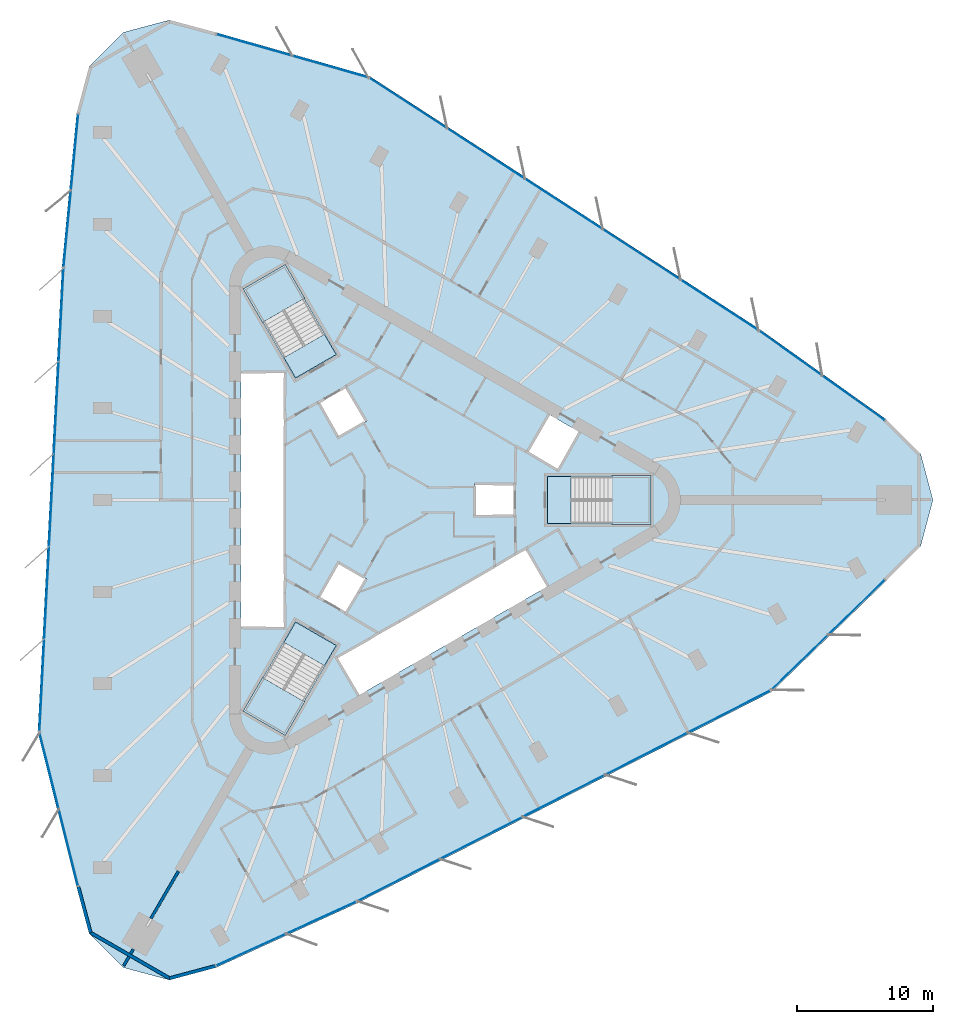
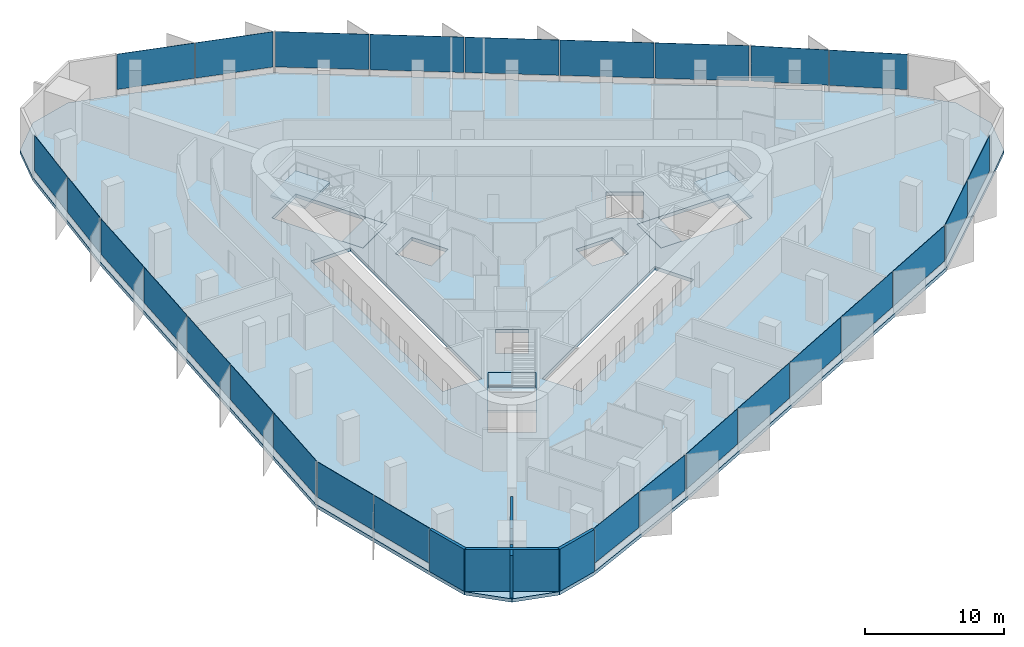
# One storey, part 7 of 14: 27 plates, 7 slabs, 6 walls, 12 elements without a shape of their own.
"""IFC4 building model written with IfcOpenShell, lengths in metres."""

from ifc_helpers import new_model, si_unit, direction, frame, frame_2d, origin, origin_2d, place, context, subcontext, project, spatial, polyline, rectangle, outline, extrude, material, layer, layer_set, type_object, element, aggregate, save


model = new_model("IFC4")

# Units and contexts
model_context = context("Model", 3, precision=1e-05, world=origin(), true_north=direction((0.0, 1.0)))
body_context = subcontext(model_context, "Body", "Model", "MODEL_VIEW")
ifc_project = project(units=[si_unit("LENGTHUNIT", "METRE"), si_unit("AREAUNIT", "SQUARE_METRE"), si_unit("VOLUMEUNIT", "CUBIC_METRE"), si_unit("PLANEANGLEUNIT", "RADIAN"), si_unit("MASSUNIT", "GRAM", prefix="KILO")], contexts=[model_context])

# Site, building, storey
site_placement = place(None, origin())
site = spatial("IfcSite", under=ifc_project, at=site_placement, CompositionType="ELEMENT")
building_placement = place(site_placement, origin())
building = spatial("IfcBuilding", under=site, at=building_placement, Name="Tanit Gate Tower", CompositionType="ELEMENT")
storey_placement = place(building_placement, frame((0.0, 0.0, 253.199951171875)))
storey = spatial("IfcBuildingStorey", under=building, at=storey_placement, Name="L57", CompositionType="ELEMENT", Elevation=253.199951171875)

# Slab
ifc_material_1 = material(Name="Concrete C35/45", Category="concrete")
ifc_layer_1 = layer(ifc_material_1, 0.300048828125)
ifc_layer_set_1 = layer_set([ifc_layer_1], Name="FLOOR SLAB 300 C35/45")
slab_type_1 = type_object("IfcSlabType", Name="FLOOR SLAB 300 C35/45", PredefinedType="FLOOR", material=ifc_layer_set_1)
slab_1_placement = place(storey_placement, frame((0.0, 0.0, -0.300048828125)))
element("IfcSlab", 1, at=slab_1_placement, inside=storey, type_object=slab_type_1, Name="FLOOR SLAB L57", PredefinedType="FLOOR", context=body_context, shape_type="SweptSolid", body=[
    extrude(outline(polyline([(36.34765625, 5.927734375), (38.85302734375, 3.42236328125), (39.77001953125, 0.0), (38.85302734375, -3.42236328125), (36.34765625, -5.927734375), (27.90380859375, -14.114013671875), (-2.617431640625, -29.68359375), (-13.040283203125, -34.44189453125), (-16.462646484375, -35.35888671875), (-19.885009765625, -34.44189453125), (-22.390380859375, -31.9365234375), (-23.307373046875, -28.51416015625), (-26.175048828125, -17.1083984375), (-24.39794921875, 17.1083984375), (-23.307373046875, 28.51416015625), (-22.390380859375, 31.9365234375), (-19.885009765625, 34.44189453125), (-16.462646484375, 35.35888671875), (-13.040283203125, 34.44189453125), (-1.72900390625, 31.222412109375), (27.015380859375, 12.574951171875), (36.34765625, 5.927734375)]), holes=[polyline([(11.3701171875, 1.72998046875), (18.929931640625, 1.72998046875), (18.929931640625, -1.72998046875), (11.3701171875, -1.72998046875), (11.3701171875, 1.72998046875)]), polyline([(9.82080078125, 3.510009765625), (11.44580078125, 6.324462890625), (13.783935546875, 4.974609375), (12.158935546875, 2.159912109375), (9.82080078125, 3.510009765625)]), polyline([(-4.208984375, -11.60986328125), (9.82080078125, -3.510009765625), (11.44580078125, -6.324462890625), (-2.583984375, -14.424560546875), (-4.208984375, -11.60986328125)]), polyline([(6.0, 1.199951171875), (9.0, 1.199951171875), (9.0, -1.199951171875), (6.0, -1.199951171875), (6.0, 1.199951171875)]), polyline([(-5.539306640625, 7.194091796875), (-3.460693359375, 8.394287109375), (-1.960693359375, 5.796142578125), (-4.039306640625, 4.59619140625), (-5.539306640625, 7.194091796875)]), polyline([(-1.960693359375, -5.796142578125), (-3.460693359375, -8.394287109375), (-5.539306640625, -7.194091796875), (-4.039306640625, -4.59619140625), (-1.960693359375, -5.796142578125)]), polyline([(-10.963134765625, 15.52880859375), (-7.966796875, 17.2587890625), (-4.186767578125, 10.711669921875), (-7.18310546875, 8.981689453125), (-10.963134765625, 15.52880859375)]), polyline([(-4.186767578125, -10.711669921875), (-7.966796875, -17.2587890625), (-10.963134765625, -15.52880859375), (-7.18310546875, -8.981689453125), (-4.186767578125, -10.711669921875)]), polyline([(-11.199951171875, -9.449951171875), (-11.199951171875, 9.449951171875), (-7.949951171875, 9.449951171875), (-7.949951171875, -9.449951171875), (-11.199951171875, -9.449951171875)])]), origin(), (0.0, 0.0, 1.0), 0.300048828125),
])

# Curtain wall, plates
ifc_material_2 = material(Name="Aluminium bronze anodised and glass", Category="aluminium")
curtain_wall_type = type_object("IfcCurtainWallType", Name="Curtain wall typical mid", PredefinedType="NOTDEFINED", material=ifc_material_2)
curtain_wall_1_placement = place(storey_placement, origin())
curtain_wall_1 = element("IfcCurtainWall", 2, at=curtain_wall_1_placement, inside=storey, type_object=curtain_wall_type, Name="Curtain wall L57 NE1", PredefinedType="NOTDEFINED")
ifc_material_3 = material(Name="Glass tinted", Category="glass")
ifc_layer_2 = layer(ifc_material_3, 0.030029296875)
ifc_layer_set_2 = layer_set([ifc_layer_2], Name="Glass panel 30 typical mid")
plate_type = type_object("IfcPlateType", Name="Glass panel 30 typical mid", PredefinedType="CURTAIN_PANEL", material=ifc_layer_set_2)
plate_1_placement = place(storey_placement, frame((33.923095703125, 7.50732421875, 0.60009765625), z_axis=(0.0, 0.0, 1.0), x_axis=(-0.814502523008, 0.580160012422, 0.0)))
plate_1 = element("IfcPlate", 3, at=plate_1_placement, type_object=plate_type, Name="Glass panel L57 NE1.1", PredefinedType="CURTAIN_PANEL", context=body_context, shape_type="SweptSolid", body=[
    extrude(rectangle(XDim=5.6025390625, YDim=0.030029296875, at=origin_2d()), origin(), (0.0, 0.0, 1.0), 3.10009765625),
])
plate_2_placement = place(storey_placement, frame((29.294677734375, 10.80419921875, 0.60009765625), z_axis=(0.0, 0.0, 1.0), x_axis=(-0.814502523008, 0.580160012422, 0.0)))
plate_2 = element("IfcPlate", 4, at=plate_2_placement, type_object=plate_type, Name="Glass panel L57 NE1.2", PredefinedType="CURTAIN_PANEL", context=body_context, shape_type="SweptSolid", body=[
    extrude(rectangle(XDim=5.6025390625, YDim=0.030029296875, at=origin_2d()), origin(), (0.0, 0.0, 1.0), 3.10009765625),
])
aggregate(curtain_wall_1, [plate_1, plate_2])

curtain_wall_2_placement = place(storey_placement, origin())
curtain_wall_2 = element("IfcCurtainWall", 5, at=curtain_wall_2_placement, inside=storey, type_object=curtain_wall_type, Name="Curtain wall L57 NE2", PredefinedType="NOTDEFINED")
plate_3_placement = place(storey_placement, frame((24.04833984375, 14.356689453125, 0.60009765625), z_axis=(0.0, 0.0, 1.0), x_axis=(-0.838927413588, 0.544243323092, 0.0)))
plate_3 = element("IfcPlate", 6, at=plate_3_placement, type_object=plate_type, Name="Glass panel L57 NE2.1", PredefinedType="CURTAIN_PANEL", context=body_context, shape_type="SweptSolid", body=[
    extrude(rectangle(XDim=6.75244140625, YDim=0.030029296875, at=origin_2d()), origin(), (0.0, 0.0, 1.0), 3.10009765625),
])
plate_4_placement = place(storey_placement, frame((18.31640625, 18.0751953125, 0.60009765625), z_axis=(0.0, 0.0, 1.0), x_axis=(-0.838927413588, 0.544243323092, 0.0)))
plate_4 = element("IfcPlate", 7, at=plate_4_placement, type_object=plate_type, Name="Glass panel L57 NE2.2", PredefinedType="CURTAIN_PANEL", context=body_context, shape_type="SweptSolid", body=[
    extrude(rectangle(XDim=6.75244140625, YDim=0.030029296875, at=origin_2d()), origin(), (0.0, 0.0, 1.0), 3.10009765625),
])
plate_5_placement = place(storey_placement, frame((12.58447265625, 21.7939453125, 0.60009765625), z_axis=(0.0, 0.0, 1.0), x_axis=(-0.838927413588, 0.544243323092, 0.0)))
plate_5 = element("IfcPlate", 8, at=plate_5_placement, type_object=plate_type, Name="Glass panel L57 NE2.3", PredefinedType="CURTAIN_PANEL", context=body_context, shape_type="SweptSolid", body=[
    extrude(rectangle(XDim=6.75244140625, YDim=0.030029296875, at=origin_2d()), origin(), (0.0, 0.0, 1.0), 3.10009765625),
])
plate_6_placement = place(storey_placement, frame((6.852294921875, 25.512451171875, 0.60009765625), z_axis=(0.0, 0.0, 1.0), x_axis=(-0.838927413588, 0.544243323092, 0.0)))
plate_6 = element("IfcPlate", 9, at=plate_6_placement, type_object=plate_type, Name="Glass panel L57 NE2.4", PredefinedType="CURTAIN_PANEL", context=body_context, shape_type="SweptSolid", body=[
    extrude(rectangle(XDim=6.75244140625, YDim=0.030029296875, at=origin_2d()), origin(), (0.0, 0.0, 1.0), 3.10009765625),
])
plate_7_placement = place(storey_placement, frame((1.120361328125, 29.23095703125, 0.60009765625), z_axis=(0.0, 0.0, 1.0), x_axis=(-0.838927413588, 0.544243323092, 0.0)))
plate_7 = element("IfcPlate", 10, at=plate_7_placement, type_object=plate_type, Name="Glass panel L57 NE2.5", PredefinedType="CURTAIN_PANEL", context=body_context, shape_type="SweptSolid", body=[
    extrude(rectangle(XDim=6.75244140625, YDim=0.030029296875, at=origin_2d()), origin(), (0.0, 0.0, 1.0), 3.10009765625),
])
aggregate(curtain_wall_2, [plate_3, plate_4, plate_5, plate_6, plate_7])

curtain_wall_3_placement = place(storey_placement, origin())
curtain_wall_3 = element("IfcCurtainWall", 11, at=curtain_wall_3_placement, inside=storey, type_object=curtain_wall_type, Name="Curtain wall L57 NE3", PredefinedType="NOTDEFINED")
plate_8_placement = place(storey_placement, frame((-4.62158203125, 31.9208984375, 0.60009765625), z_axis=(0.0, 0.0, 1.0), x_axis=(-0.961802543312, 0.273744164647, 0.0)))
plate_8 = element("IfcPlate", 12, at=plate_8_placement, type_object=plate_type, Name="Glass panel L57 NE3.1", PredefinedType="CURTAIN_PANEL", context=body_context, shape_type="SweptSolid", body=[
    extrude(rectangle(XDim=5.750732421875, YDim=0.030029296875, at=origin_2d()), origin(), (0.0, 0.0, 1.0), 3.10009765625),
])
plate_9_placement = place(storey_placement, frame((-10.229736328125, 33.51708984375, 0.60009765625), z_axis=(0.0, 0.0, 1.0), x_axis=(-0.961802543312, 0.273744164647, 0.0)))
plate_9 = element("IfcPlate", 13, at=plate_9_placement, type_object=plate_type, Name="Glass panel L57 NE3.2", PredefinedType="CURTAIN_PANEL", context=body_context, shape_type="SweptSolid", body=[
    extrude(rectangle(XDim=5.7509765625, YDim=0.030029296875, at=origin_2d()), origin(), (0.0, 0.0, 1.0), 3.10009765625),
])
aggregate(curtain_wall_3, [plate_8, plate_9])

curtain_wall_4_placement = place(storey_placement, origin())
curtain_wall_4 = element("IfcCurtainWall", 14, at=curtain_wall_4_placement, inside=storey, type_object=curtain_wall_type, Name="Curtain wall L57 W1", PredefinedType="NOTDEFINED")
plate_10_placement = place(storey_placement, frame((-23.463134765625, 25.62451171875, 0.60009765625), z_axis=(0.0, 0.0, 1.0), x_axis=(-0.095182047514, -0.995459882582, 0.0)))
plate_10 = element("IfcPlate", 15, at=plate_10_placement, type_object=plate_type, Name="Glass panel L57 W1.1", PredefinedType="CURTAIN_PANEL", context=body_context, shape_type="SweptSolid", body=[
    extrude(rectangle(XDim=5.6025390625, YDim=0.030029296875, at=origin_2d()), origin(), (0.0, 0.0, 1.0), 3.10009765625),
])
plate_11_placement = place(storey_placement, frame((-24.00390625, 19.9677734375, 0.60009765625), z_axis=(0.0, 0.0, 1.0), x_axis=(-0.095182047514, -0.995459882582, 0.0)))
plate_11 = element("IfcPlate", 16, at=plate_11_placement, type_object=plate_type, Name="Glass panel L57 W1.2", PredefinedType="CURTAIN_PANEL", context=body_context, shape_type="SweptSolid", body=[
    extrude(rectangle(XDim=5.6025390625, YDim=0.030029296875, at=origin_2d()), origin(), (0.0, 0.0, 1.0), 3.10009765625),
])
aggregate(curtain_wall_4, [plate_10, plate_11])

curtain_wall_5_placement = place(storey_placement, origin())
curtain_wall_5 = element("IfcCurtainWall", 17, at=curtain_wall_5_placement, inside=storey, type_object=curtain_wall_type, Name="Curtain wall L57 W2", PredefinedType="NOTDEFINED")
plate_12_placement = place(storey_placement, frame((-24.45751953125, 13.648193359375, 0.60009765625), z_axis=(0.0, 0.0, 1.0), x_axis=(-0.051864836844, -0.998654113645, 0.0)))
plate_12 = element("IfcPlate", 18, at=plate_12_placement, type_object=plate_type, Name="Glass panel L57 W2.1", PredefinedType="CURTAIN_PANEL", context=body_context, shape_type="SweptSolid", body=[
    extrude(rectangle(XDim=6.75244140625, YDim=0.030029296875, at=origin_2d()), origin(), (0.0, 0.0, 1.0), 3.10009765625),
])
plate_13_placement = place(storey_placement, frame((-24.811767578125, 6.82470703125, 0.60009765625), z_axis=(0.0, 0.0, 1.0), x_axis=(-0.051864836844, -0.998654113645, 0.0)))
plate_13 = element("IfcPlate", 19, at=plate_13_placement, type_object=plate_type, Name="Glass panel L57 W2.2", PredefinedType="CURTAIN_PANEL", context=body_context, shape_type="SweptSolid", body=[
    extrude(rectangle(XDim=6.75244140625, YDim=0.030029296875, at=origin_2d()), origin(), (0.0, 0.0, 1.0), 3.10009765625),
])
plate_14_placement = place(storey_placement, frame((-25.166259765625, 0.00146484375, 0.60009765625), z_axis=(0.0, 0.0, 1.0), x_axis=(-0.051864836844, -0.998654113645, 0.0)))
plate_14 = element("IfcPlate", 20, at=plate_14_placement, type_object=plate_type, Name="Glass panel L57 W2.3", PredefinedType="CURTAIN_PANEL", context=body_context, shape_type="SweptSolid", body=[
    extrude(rectangle(XDim=6.75244140625, YDim=0.030029296875, at=origin_2d()), origin(), (0.0, 0.0, 1.0), 3.10009765625),
])
plate_15_placement = place(storey_placement, frame((-25.5205078125, -6.82177734375, 0.60009765625), z_axis=(0.0, 0.0, 1.0), x_axis=(-0.051864836844, -0.998654113645, 0.0)))
plate_15 = element("IfcPlate", 21, at=plate_15_placement, type_object=plate_type, Name="Glass panel L57 W2.4", PredefinedType="CURTAIN_PANEL", context=body_context, shape_type="SweptSolid", body=[
    extrude(rectangle(XDim=6.75244140625, YDim=0.030029296875, at=origin_2d()), origin(), (0.0, 0.0, 1.0), 3.10009765625),
])
plate_16_placement = place(storey_placement, frame((-25.875, -13.64501953125, 0.60009765625), z_axis=(0.0, 0.0, 1.0), x_axis=(-0.051864836844, -0.998654113645, 0.0)))
plate_16 = element("IfcPlate", 22, at=plate_16_placement, type_object=plate_type, Name="Glass panel L57 W2.5", PredefinedType="CURTAIN_PANEL", context=body_context, shape_type="SweptSolid", body=[
    extrude(rectangle(XDim=6.75244140625, YDim=0.030029296875, at=origin_2d()), origin(), (0.0, 0.0, 1.0), 3.10009765625),
])
aggregate(curtain_wall_5, [plate_12, plate_13, plate_14, plate_15, plate_16])

curtain_wall_6_placement = place(storey_placement, origin())
curtain_wall_6 = element("IfcCurtainWall", 23, at=curtain_wall_6_placement, inside=storey, type_object=curtain_wall_type, Name="Curtain wall L57 W3", PredefinedType="NOTDEFINED")
plate_17_placement = place(storey_placement, frame((-25.33349609375, -19.962890625, 0.60009765625), z_axis=(0.0, 0.0, 1.0), x_axis=(0.243831870934, -0.969817518256, 0.0)))
plate_17 = element("IfcPlate", 24, at=plate_17_placement, type_object=plate_type, Name="Glass panel L57 W3.1", PredefinedType="CURTAIN_PANEL", context=body_context, shape_type="SweptSolid", body=[
    extrude(rectangle(XDim=5.750732421875, YDim=0.030029296875, at=origin_2d()), origin(), (0.0, 0.0, 1.0), 3.10009765625),
])
plate_18_placement = place(storey_placement, frame((-23.911865234375, -25.61767578125, 0.60009765625), z_axis=(0.0, 0.0, 1.0), x_axis=(0.243831870934, -0.969817518256, 0.0)))
plate_18 = element("IfcPlate", 25, at=plate_18_placement, type_object=plate_type, Name="Glass panel L57 W3.2", PredefinedType="CURTAIN_PANEL", context=body_context, shape_type="SweptSolid", body=[
    extrude(rectangle(XDim=5.7509765625, YDim=0.030029296875, at=origin_2d()), origin(), (0.0, 0.0, 1.0), 3.10009765625),
])
aggregate(curtain_wall_6, [plate_17, plate_18])

curtain_wall_7_placement = place(storey_placement, origin())
curtain_wall_7 = element("IfcCurtainWall", 26, at=curtain_wall_7_placement, inside=storey, type_object=curtain_wall_type, Name="Curtain wall L57 SE1", PredefinedType="NOTDEFINED")
plate_19_placement = place(storey_placement, frame((-10.4599609375, -33.1318359375, 0.60009765625), z_axis=(0.0, 0.0, 1.0), x_axis=(0.909684570522, 0.41529987016, 0.0)))
plate_19 = element("IfcPlate", 27, at=plate_19_placement, type_object=plate_type, Name="Glass panel L57 SE1.1", PredefinedType="CURTAIN_PANEL", context=body_context, shape_type="SweptSolid", body=[
    extrude(rectangle(XDim=5.6025390625, YDim=0.030029296875, at=origin_2d()), origin(), (0.0, 0.0, 1.0), 3.10009765625),
])
plate_20_placement = place(storey_placement, frame((-5.290771484375, -30.77197265625, 0.60009765625), z_axis=(0.0, 0.0, 1.0), x_axis=(0.909684570522, 0.41529987016, 0.0)))
plate_20 = element("IfcPlate", 28, at=plate_20_placement, type_object=plate_type, Name="Glass panel L57 SE1.2", PredefinedType="CURTAIN_PANEL", context=body_context, shape_type="SweptSolid", body=[
    extrude(rectangle(XDim=5.6025390625, YDim=0.030029296875, at=origin_2d()), origin(), (0.0, 0.0, 1.0), 3.10009765625),
])
aggregate(curtain_wall_7, [plate_19, plate_20])

curtain_wall_8_placement = place(storey_placement, origin())
curtain_wall_8 = element("IfcCurtainWall", 29, at=curtain_wall_8_placement, inside=storey, type_object=curtain_wall_type, Name="Curtain wall L57 SE2", PredefinedType="NOTDEFINED")
plate_21_placement = place(storey_placement, frame((0.4091796875, -28.0048828125, 0.60009765625), z_axis=(0.0, 0.0, 1.0), x_axis=(0.890792250432, 0.454410790552, 0.0)))
plate_21 = element("IfcPlate", 30, at=plate_21_placement, type_object=plate_type, Name="Glass panel L57 SE2.1", PredefinedType="CURTAIN_PANEL", context=body_context, shape_type="SweptSolid", body=[
    extrude(rectangle(XDim=6.75244140625, YDim=0.030029296875, at=origin_2d()), origin(), (0.0, 0.0, 1.0), 3.10009765625),
])
plate_22_placement = place(storey_placement, frame((6.49560546875, -24.900146484375, 0.60009765625), z_axis=(0.0, 0.0, 1.0), x_axis=(0.890792250432, 0.454410790552, 0.0)))
plate_22 = element("IfcPlate", 31, at=plate_22_placement, type_object=plate_type, Name="Glass panel L57 SE2.2", PredefinedType="CURTAIN_PANEL", context=body_context, shape_type="SweptSolid", body=[
    extrude(rectangle(XDim=6.75244140625, YDim=0.030029296875, at=origin_2d()), origin(), (0.0, 0.0, 1.0), 3.10009765625),
])
plate_23_placement = place(storey_placement, frame((12.581787109375, -21.79541015625, 0.60009765625), z_axis=(0.0, 0.0, 1.0), x_axis=(0.890792250432, 0.454410790552, 0.0)))
plate_23 = element("IfcPlate", 32, at=plate_23_placement, type_object=plate_type, Name="Glass panel L57 SE2.3", PredefinedType="CURTAIN_PANEL", context=body_context, shape_type="SweptSolid", body=[
    extrude(rectangle(XDim=6.75244140625, YDim=0.030029296875, at=origin_2d()), origin(), (0.0, 0.0, 1.0), 3.10009765625),
])
plate_24_placement = place(storey_placement, frame((18.668212890625, -18.6904296875, 0.60009765625), z_axis=(0.0, 0.0, 1.0), x_axis=(0.890792250432, 0.454410790552, 0.0)))
plate_24 = element("IfcPlate", 33, at=plate_24_placement, type_object=plate_type, Name="Glass panel L57 SE2.4", PredefinedType="CURTAIN_PANEL", context=body_context, shape_type="SweptSolid", body=[
    extrude(rectangle(XDim=6.75244140625, YDim=0.030029296875, at=origin_2d()), origin(), (0.0, 0.0, 1.0), 3.10009765625),
])
plate_25_placement = place(storey_placement, frame((24.75439453125, -15.585693359375, 0.60009765625), z_axis=(0.0, 0.0, 1.0), x_axis=(0.890792250432, 0.454410790552, 0.0)))
plate_25 = element("IfcPlate", 34, at=plate_25_placement, type_object=plate_type, Name="Glass panel L57 SE2.5", PredefinedType="CURTAIN_PANEL", context=body_context, shape_type="SweptSolid", body=[
    extrude(rectangle(XDim=6.75244140625, YDim=0.030029296875, at=origin_2d()), origin(), (0.0, 0.0, 1.0), 3.10009765625),
])
aggregate(curtain_wall_8, [plate_21, plate_22, plate_23, plate_24, plate_25])

curtain_wall_9_placement = place(storey_placement, origin())
curtain_wall_9 = element("IfcCurtainWall", 35, at=curtain_wall_9_placement, inside=storey, type_object=curtain_wall_type, Name="Curtain wall L57 SE3", PredefinedType="NOTDEFINED")
plate_26_placement = place(storey_placement, frame((29.955078125, -11.9580078125, 0.60009765625), z_axis=(0.0, 0.0, 1.0), x_axis=(0.717970672378, 0.696073353609, 0.0)))
plate_26 = element("IfcPlate", 36, at=plate_26_placement, type_object=plate_type, Name="Glass panel L57 SE3.1", PredefinedType="CURTAIN_PANEL", context=body_context, shape_type="SweptSolid", body=[
    extrude(rectangle(XDim=5.750732421875, YDim=0.030029296875, at=origin_2d()), origin(), (0.0, 0.0, 1.0), 3.10009765625),
])
plate_27_placement = place(storey_placement, frame((34.1416015625, -7.8994140625, 0.60009765625), z_axis=(0.0, 0.0, 1.0), x_axis=(0.717970672378, 0.696073353609, 0.0)))
plate_27 = element("IfcPlate", 37, at=plate_27_placement, type_object=plate_type, Name="Glass panel L57 SE3.2", PredefinedType="CURTAIN_PANEL", context=body_context, shape_type="SweptSolid", body=[
    extrude(rectangle(XDim=5.7509765625, YDim=0.030029296875, at=origin_2d()), origin(), (0.0, 0.0, 1.0), 3.10009765625),
])
aggregate(curtain_wall_9, [plate_26, plate_27])

# Stair, slab
ifc_material_4 = material(Name="Concrete C40/50", Category="concrete")
stair_type = type_object("IfcStairType", Name="INT-STAIR-EXIT", PredefinedType="HALF_TURN_STAIR", material=ifc_material_4)
stair_1_placement = place(storey_placement, origin())
stair_1 = element("IfcStair", 38, at=stair_1_placement, inside=storey, type_object=stair_type, Name="L57 STAIR S1", PredefinedType="HALF_TURN_STAIR")
ifc_material_5 = material(Name="Concrete C40/50", Category="concrete")
ifc_layer_3 = layer(ifc_material_5, 0.199951171875)
ifc_layer_set_3 = layer_set([ifc_layer_3], Name="INT-STAIR-LANDING")
slab_type_2 = type_object("IfcSlabType", Name="INT-STAIR-LANDING", PredefinedType="LANDING", material=ifc_layer_set_3)
slab_2_placement = place(storey_placement, frame((0.0, 0.0, 1.800048828125)))
slab_2 = element("IfcSlab", 39, at=slab_2_placement, type_object=slab_type_2, Name="S1 landing 1", PredefinedType="LANDING", context=body_context, shape_type="SweptSolid", body=[
    extrude(outline(polyline([(16.135986328125, -1.800048828125), (19.0, -1.800048828125), (19.0, 1.800048828125), (16.135986328125, 1.800048828125), (16.135986328125, -1.800048828125)])), origin(), (0.0, 0.0, 1.0), 0.199951171875),
])
aggregate(stair_1, [slab_2])

# Slab
slab_3_placement = place(storey_placement, frame((0.0, 0.0, -0.199951171875)))
element("IfcSlab", 40, at=slab_3_placement, inside=storey, type_object=slab_type_2, Name="S1 floor landing", PredefinedType="LANDING", context=body_context, shape_type="SweptSolid", body=[
    extrude(outline(polyline([(11.3798828125, -1.719970703125), (13.10498046875, -1.719970703125), (13.10498046875, 1.719970703125), (11.3798828125, 1.719970703125), (11.3798828125, -1.719970703125)])), origin(), (0.0, 0.0, 1.0), 0.199951171875),
])

# Stair, slab
stair_2_placement = place(storey_placement, origin())
stair_2 = element("IfcStair", 41, at=stair_2_placement, inside=storey, type_object=stair_type, Name="L57 STAIR S2", PredefinedType="HALF_TURN_STAIR")
slab_4_placement = place(storey_placement, frame((0.0, 0.0, 1.800048828125)))
slab_4 = element("IfcSlab", 42, at=slab_4_placement, type_object=slab_type_2, Name="S2 landing 1", PredefinedType="LANDING", context=body_context, shape_type="SweptSolid", body=[
    extrude(outline(polyline([(-6.5078125, 14.871826171875), (-7.941162109375, 17.3544921875), (-11.058837890625, 15.554443359375), (-9.62548828125, 13.07177734375), (-6.5078125, 14.871826171875)])), origin(), (0.0, 0.0, 1.0), 0.199951171875),
])
aggregate(stair_2, [slab_4])

# Slab
slab_5_placement = place(storey_placement, frame((0.0, 0.0, -0.199951171875)))
element("IfcSlab", 43, at=slab_5_placement, inside=storey, type_object=slab_type_2, Name="S2 floor landing", PredefinedType="LANDING", context=body_context, shape_type="SweptSolid", body=[
    extrude(outline(polyline([(-4.200439453125, 10.71533203125), (-5.0625, 12.20849609375), (-8.04150390625, 10.48828125), (-7.179443359375, 8.995361328125), (-4.200439453125, 10.71533203125)])), origin(), (0.0, 0.0, 1.0), 0.199951171875),
])

# Stair, slab
stair_3_placement = place(storey_placement, origin())
stair_3 = element("IfcStair", 44, at=stair_3_placement, inside=storey, type_object=stair_type, Name="L57 STAIR S3", PredefinedType="HALF_TURN_STAIR")
slab_6_placement = place(storey_placement, frame((0.0, 0.0, 1.800048828125)))
slab_6 = element("IfcSlab", 45, at=slab_6_placement, type_object=slab_type_2, Name="S3 landing 1", PredefinedType="LANDING", context=body_context, shape_type="SweptSolid", body=[
    extrude(outline(polyline([(-9.626953125, -13.07421875), (-11.058837890625, -15.554443359375), (-7.941162109375, -17.3544921875), (-6.509033203125, -14.874267578125), (-9.626953125, -13.07421875)])), origin(), (0.0, 0.0, 1.0), 0.199951171875),
])
aggregate(stair_3, [slab_6])

# Slab
slab_7_placement = place(storey_placement, frame((0.0, 0.0, -0.199951171875)))
element("IfcSlab", 46, at=slab_7_placement, inside=storey, type_object=slab_type_2, Name="S3 floor landing", PredefinedType="LANDING", context=body_context, shape_type="SweptSolid", body=[
    extrude(outline(polyline([(-7.179443359375, -8.995361328125), (-8.0419921875, -10.4892578125), (-5.06298828125, -12.209228515625), (-4.200439453125, -10.71533203125), (-7.179443359375, -8.995361328125)])), origin(), (0.0, 0.0, 1.0), 0.199951171875),
])

# Walls
ifc_material_6 = material(Name="Concrete C30/37 with bronze anodised aluminium cladding", Category="concrete")
ifc_layer_4 = layer(ifc_material_6, 0.239990234375)
ifc_layer_set_4 = layer_set([ifc_layer_4], Name="Facade wall bronze clad 240")
wall_type_1 = type_object("IfcWallType", Name="Facade wall bronze clad 240", PredefinedType="SOLIDWALL", material=ifc_layer_set_4)
wall_1_placement = place(storey_placement, frame((-23.191162109375, -28.484130859375, 0.0), z_axis=(0.0, 0.0, 1.0), x_axis=(0.258818367886, -0.965926007748, 0.0)))
element("IfcWall", 47, at=wall_1_placement, inside=storey, type_object=wall_type_1, Name="Bronze-clad facade wall L57 SW.arc1", PredefinedType="SOLIDWALL", context=body_context, shape_type="SweptSolid", body=[
    extrude(rectangle(XDim=3.510009765625, YDim=0.239990234375, at=frame_2d((1.7548828125, 0.0))), origin(), (0.0, 0.0, 1.0), 3.699951171875),
])
wall_2_placement = place(storey_placement, frame((-22.28271484375, -31.87451171875, 0.0), z_axis=(0.0, 0.0, 1.0), x_axis=(0.86603253074, -0.499987655547, 0.0)))
element("IfcWall", 48, at=wall_2_placement, inside=storey, type_object=wall_type_1, Name="Bronze-clad facade wall L57 SW.arc2", PredefinedType="SOLIDWALL", context=body_context, shape_type="SweptSolid", body=[
    extrude(rectangle(XDim=6.720458984375, YDim=0.239990234375, at=frame_2d((3.3603515625, 0.0))), origin(), (0.0, 0.0, 1.0), 3.699951171875),
])
wall_3_placement = place(storey_placement, frame((-16.462646484375, -35.234619140625, 0.0), z_axis=(0.0, 0.0, 1.0), x_axis=(0.965932176707, 0.258795343857, 0.0)))
element("IfcWall", 49, at=wall_3_placement, inside=storey, type_object=wall_type_1, Name="Bronze-clad facade wall L57 SW.arc3", PredefinedType="SOLIDWALL", context=body_context, shape_type="SweptSolid", body=[
    extrude(rectangle(XDim=3.5009765625, YDim=0.239990234375, at=frame_2d((1.75048828125, 0.0))), origin(), (0.0, 0.0, 1.0), 3.699951171875),
])
ifc_material_7 = material(Name="Fire-rated gypsum board partition")
ifc_layer_5 = layer(ifc_material_7, 0.199951171875)
ifc_layer_set_5 = layer_set([ifc_layer_5], Name="INT-WALL-COMPARTMENT")
wall_type_2 = type_object("IfcWallType", Name="INT-WALL-COMPARTMENT", PredefinedType="PARTITIONING", material=ifc_layer_set_5)
wall_4_placement = place(storey_placement, frame((-19.844970703125, -34.312255859375, 0.0), z_axis=(0.0, 0.0, 1.0), x_axis=(0.500151178888, 0.865938103017, 0.0)))
element("IfcWall", 50, at=wall_4_placement, inside=storey, type_object=wall_type_2, Name="Wall Compartment W122", PredefinedType="PARTITIONING", context=body_context, shape_type="SweptSolid", body=[
    extrude(rectangle(XDim=0.772216796875, YDim=0.199951171875, at=frame_2d((0.38623046875, 0.0))), origin(), (0.0, 0.0, 1.0), 3.699951171875),
])
wall_5_placement = place(storey_placement, frame((-19.338623046875, -33.435546875, 0.0), z_axis=(0.0, 0.0, 1.0), x_axis=(0.499896243657, 0.866085299251, 0.0)))
element("IfcWall", 51, at=wall_5_placement, inside=storey, type_object=wall_type_2, Name="Wall Compartment W122x1", PredefinedType="PARTITIONING", context=body_context, shape_type="SweptSolid", body=[
    extrude(rectangle(XDim=0.4052734375, YDim=0.199951171875, at=frame_2d((0.20263671875, 0.0))), origin(), (0.0, 0.0, 1.0), 3.699951171875),
])
wall_6_placement = place(storey_placement, frame((-17.8359375, -30.832763671875, 0.0), z_axis=(0.0, 0.0, 1.0), x_axis=(0.502422862308, 0.864622037326, 0.0)))
element("IfcWall", 52, at=wall_6_placement, inside=storey, type_object=wall_type_2, Name="Wall Compartment W123", PredefinedType="PARTITIONING", context=body_context, shape_type="SweptSolid", body=[
    extrude(rectangle(XDim=4.03759765625, YDim=0.199951171875, at=frame_2d((2.018798828125, 0.0))), origin(), (0.0, 0.0, 1.0), 3.27001953125),
])

save(model, "model.ifc")
